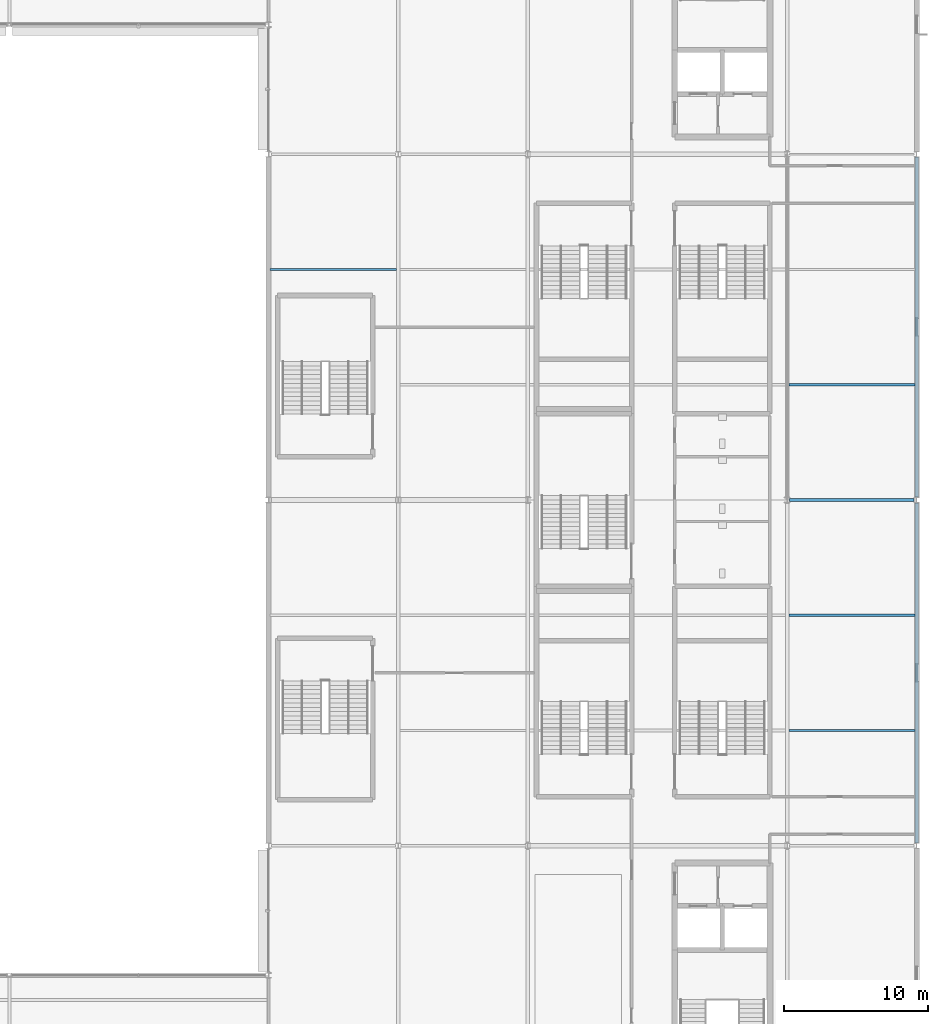
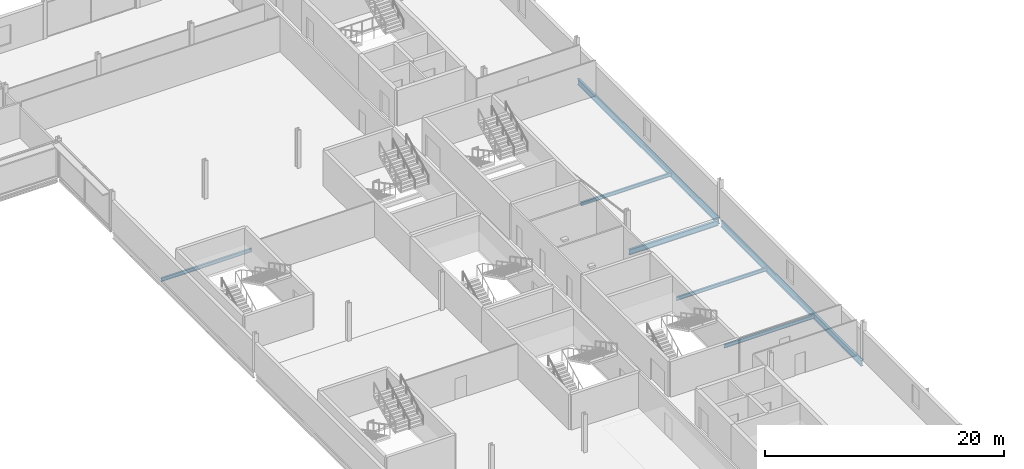
# One storey, part 46 of 98: 7 beams.
"""IFC4 building model written with IfcOpenShell, lengths in metres."""

from ifc_helpers import new_model, si_unit, direction, frame, origin, origin_2d, place, context, subcontext, project, spatial, i_section, extrude, material, material_profile, profile_set, type_object, element, save


model = new_model("IFC4")

# Units and contexts
model_context = context("Model", 3, precision=1e-05, world=origin(), true_north=direction((0.0, 1.0)))
body_context = subcontext(model_context, "Body", "Model", "MODEL_VIEW")
ifc_project = project(units=[si_unit("LENGTHUNIT", "METRE"), si_unit("AREAUNIT", "SQUARE_METRE"), si_unit("VOLUMEUNIT", "CUBIC_METRE"), si_unit("PLANEANGLEUNIT", "RADIAN"), si_unit("MASSUNIT", "GRAM", prefix="KILO")], contexts=[model_context])

# Site, building, storey
site_placement = place(None, origin())
site = spatial("IfcSite", under=ifc_project, at=site_placement, CompositionType="ELEMENT")
building_placement = place(site_placement, origin())
building = spatial("IfcBuilding", under=site, at=building_placement, Name="Kisiwana Market Hall", CompositionType="ELEMENT")
storey_placement = place(building_placement, frame((0.0, 0.0, 29.39990234375)))
storey = spatial("IfcBuildingStorey", under=building, at=storey_placement, Name="L06", CompositionType="ELEMENT", Elevation=29.39990234375)

# Beams
ifc_material_1 = material(Name="Steel S355", Category="steel")
ifc_material_profile_1 = material_profile(ifc_material_1, i_section(OverallWidth=0.209228515625, OverallDepth=0.533203125, WebThickness=0.010009765625, FlangeThickness=0.015625, at=origin_2d()), Name="UB 533x210x92")
ifc_profile_set_1 = profile_set([ifc_material_profile_1], Name="Steel S355")
beam_type_1 = type_object("IfcBeamType", Name="BM-GIRD-UB533", PredefinedType="BEAM", material=ifc_profile_set_1)
beam_placement = place(storey_placement, frame((189.14599609375, 60.0, -0.511474609375), z_axis=(1.0, 0.0, 0.0), x_axis=(0.0, 1.0, 0.0)))
element("IfcBeam", 1, at=beam_placement, inside=storey, type_object=beam_type_1, Name="Primary girder B-1700", PredefinedType="BEAM", context=body_context, shape_type="SweptSolid", body=[
    extrude(i_section(OverallWidth=0.209228515625, OverallDepth=0.533203125, WebThickness=0.010009765625, FlangeThickness=0.015625, at=origin_2d()), origin(), (0.0, 0.0, 1.0), 8.65478515625),
])
ifc_material_2 = material(Name="Steel S355", Category="steel")
ifc_material_profile_2 = material_profile(ifc_material_2, i_section(OverallWidth=0.22900390625, OverallDepth=0.6123046875, WebThickness=0.011962890625, FlangeThickness=0.01953125, at=origin_2d()), Name="UB 610x229x125")
ifc_profile_set_2 = profile_set([ifc_material_profile_2], Name="Steel S355")
beam_type_2 = type_object("IfcBeamType", Name="BM-GIRD-UB610H", PredefinedType="BEAM", material=ifc_profile_set_2)
for number, where, z_axis, x_axis, name in (
    (2, (198.0, 36.19921875, -0.551025390625), (0.0, 1.0, 0.0), (-1.0, 0.0, 0.0), "Floor beam B-1873"),
    (3, (198.0, 60.19921875, -0.551025390625), (0.0, 1.0, 0.0), (-1.0, 0.0, 0.0), "Floor beam B-1874"),
):
    element("IfcBeam", number, at=place(storey_placement, frame(where, z_axis=z_axis, x_axis=x_axis)), inside=storey, type_object=beam_type_2, Name=name, PredefinedType="BEAM", context=body_context, shape_type="SweptSolid", body=[
        extrude(i_section(OverallWidth=0.22900390625, OverallDepth=0.6123046875, WebThickness=0.011962890625, FlangeThickness=0.01953125, at=origin_2d()), origin(), (0.0, 0.0, 1.0), 23.6015625),
    ])
ifc_material_3 = material(Name="Steel S355", Category="steel")
ifc_material_profile_3 = material_profile(ifc_material_3, i_section(OverallWidth=0.17138671875, OverallDepth=0.35498046875, WebThickness=0.00732421875, FlangeThickness=0.011474609375, at=origin_2d()), Name="UB 356x171x51")
ifc_profile_set_3 = profile_set([ifc_material_profile_3], Name="Steel S355")
beam_type_3 = type_object("IfcBeamType", Name="BM-JOIST-UB356", PredefinedType="JOIST", material=ifc_profile_set_3)
for number, where, z_axis, x_axis, name in (
    (4, (189.113525390625, 44.0, -0.42236328125), (1.0, 0.0, 0.0), (0.0, 1.0, 0.0), "Secondary floor joist B-1752"),
    (5, (189.113525390625, 52.0, -0.42236328125), (1.0, 0.0, 0.0), (0.0, 1.0, 0.0), "Secondary floor joist B-1760"),
    (6, (189.113525390625, 68.0, -0.42236328125), (1.0, 0.0, 0.0), (0.0, 1.0, 0.0), "Secondary floor joist B-1766"),
    (7, (153.113525390625, 76.0, -0.42236328125), (1.0, 0.0, 0.0), (0.0, 1.0, 0.0), "Secondary floor joist B-1771"),
):
    element("IfcBeam", number, at=place(storey_placement, frame(where, z_axis=z_axis, x_axis=x_axis)), inside=storey, type_object=beam_type_3, Name=name, PredefinedType="JOIST", context=body_context, shape_type="SweptSolid", body=[
        extrude(i_section(OverallWidth=0.17138671875, OverallDepth=0.35498046875, WebThickness=0.00732421875, FlangeThickness=0.011474609375, at=origin_2d()), origin(), (0.0, 0.0, 1.0), 8.77294921875),
    ])

save(model, "model.ifc")
